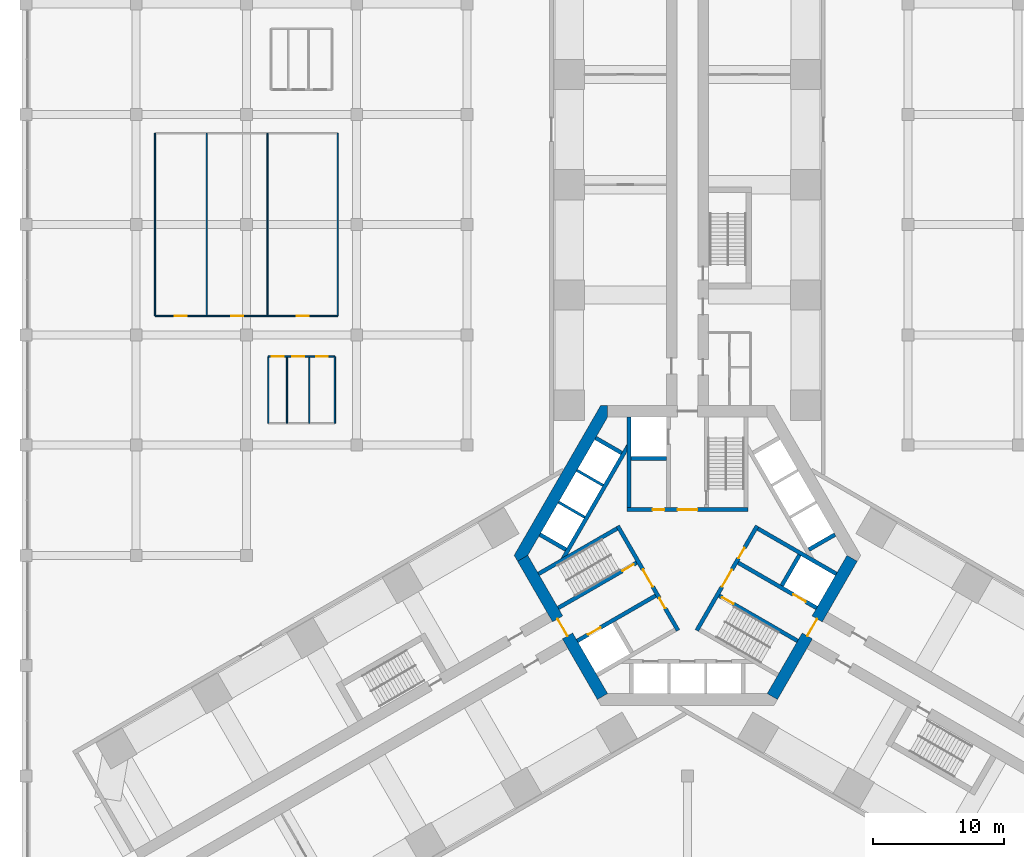
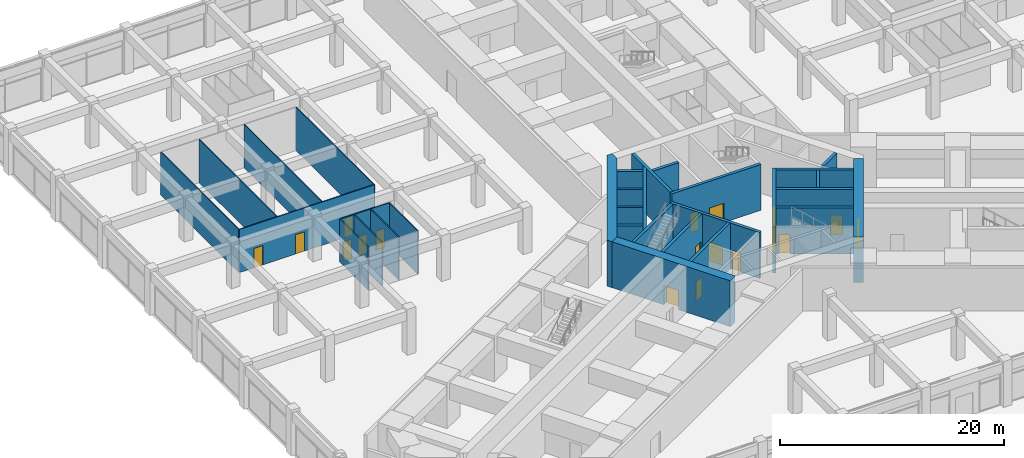
# One storey, part 29 of 36: 31 walls, 18 doors, 18 openings.
"""IFC4 building model written with IfcOpenShell, lengths in metres."""

from ifc_helpers import new_model, si_unit, direction, frame, frame_2d, origin, place, context, subcontext, project, spatial, polyline, rectangle, outline, extrude, material, layer, layer_set, type_object, element, fill, save


model = new_model("IFC4")

# Units and contexts
model_context = context("Model", 3, precision=1e-05, world=origin(), true_north=direction((0.0, 1.0)))
body_context = subcontext(model_context, "Body", "Model", "MODEL_VIEW")
ifc_project = project(units=[si_unit("LENGTHUNIT", "METRE"), si_unit("AREAUNIT", "SQUARE_METRE"), si_unit("VOLUMEUNIT", "CUBIC_METRE"), si_unit("PLANEANGLEUNIT", "RADIAN"), si_unit("MASSUNIT", "GRAM", prefix="KILO")], contexts=[model_context])

# Site, building, storey
site_placement = place(None, origin())
site = spatial("IfcSite", under=ifc_project, at=site_placement, CompositionType="ELEMENT")
building_placement = place(site_placement, origin())
building = spatial("IfcBuilding", under=site, at=building_placement, Name="Impinga Residences", CompositionType="ELEMENT")
storey_placement = place(building_placement, frame((0.0, 0.0, 6.0)))
storey = spatial("IfcBuildingStorey", under=building, at=storey_placement, Name="L01", CompositionType="ELEMENT", Elevation=6.0)

# Wall, openings, doors
ifc_material_1 = material(Name="Gypsum board on steel studs", Category="steel")
ifc_layer_1 = layer(ifc_material_1, 0.10009765625)
ifc_layer_set_1 = layer_set([ifc_layer_1], Name="Gypsum board on steel studs")
wall_type_1 = type_object("IfcWallType", Name="IP1 partition 100", PredefinedType="PARTITIONING", material=ifc_layer_set_1)
wall_1_placement = place(storey_placement, frame((-40.56005859375, 18.239990234375, 0.0), z_axis=(0.0, 0.0, 1.0), x_axis=(1.0, 0.0, 0.0)))
wall_1 = element("IfcWall", 1, at=wall_1_placement, inside=storey, type_object=wall_type_1, Name="Partition L01:REG:NW:BLKS", PredefinedType="PARTITIONING", context=body_context, shape_type="SweptSolid", body=[
    extrude(rectangle(XDim=13.920166015625, YDim=0.10009765625, at=frame_2d((6.9599609375, 0.0))), origin(), (0.0, 0.0, 1.0), 4.699951171875),
])
opening_1_placement = place(wall_1_placement, frame((1.51611328125, 0.0, 0.0)))
opening_1 = element("IfcOpeningElement", 2, at=opening_1_placement, cuts=wall_1, Name="Opening D2", PredefinedType="OPENING", context=body_context, shape_type="SweptSolid", body=[
    extrude(rectangle(XDim=0.89990234375, YDim=2.10009765625, at=frame_2d((0.449951171875, 1.050048828125))), frame((0.0, 0.06005859375, 0.0), z_axis=(0.0, -1.0, 0.0), x_axis=(1.0, 0.0, 0.0)), (0.0, 0.0, 1.0), 0.1201171875),
])
opening_2_placement = place(wall_1_placement, frame((5.80224609375, 0.0, 0.0)))
opening_2 = element("IfcOpeningElement", 3, at=opening_2_placement, cuts=wall_1, Name="Opening D2", PredefinedType="OPENING", context=body_context, shape_type="SweptSolid", body=[
    extrude(rectangle(XDim=0.89990234375, YDim=2.10009765625, at=frame_2d((0.449951171875, 1.050048828125))), frame((0.0, 0.06005859375, 0.0), z_axis=(0.0, -1.0, 0.0), x_axis=(1.0, 0.0, 0.0)), (0.0, 0.0, 1.0), 0.1201171875),
])
opening_3_placement = place(wall_1_placement, frame((10.796142578125, 0.0, 0.0)))
opening_3 = element("IfcOpeningElement", 4, at=opening_3_placement, cuts=wall_1, Name="Opening D2", PredefinedType="OPENING", context=body_context, shape_type="SweptSolid", body=[
    extrude(rectangle(XDim=0.89990234375, YDim=2.10009765625, at=frame_2d((0.449951171875, 1.050048828125))), frame((0.0, 0.06005859375, 0.0), z_axis=(0.0, -1.0, 0.0), x_axis=(1.0, 0.0, 0.0)), (0.0, 0.0, 1.0), 0.1201171875),
])
ifc_material_2 = material(Name="Timber door set", Category="wood")
door_type_1 = type_object("IfcDoorType", Name="D2 internal door 900x2100", OperationType="SINGLE_SWING_LEFT", PredefinedType="DOOR", material=ifc_material_2)
door_1_placement = place(opening_1_placement, origin())
door_1 = element("IfcDoor", 5, at=door_1_placement, inside=storey, type_object=door_type_1, Name="Activity room door", OperationType="SINGLE_SWING_LEFT", OverallHeight=2.10009765625, OverallWidth=0.89990234375, PredefinedType="DOOR", context=body_context, shape_type="SweptSolid", body=[
    extrude(rectangle(XDim=0.89990234375, YDim=2.10009765625, at=frame_2d((0.449951171875, 1.050048828125))), frame((0.0, 0.02490234375, 0.0), z_axis=(0.0, -1.0, 0.0), x_axis=(1.0, 0.0, 0.0)), (0.0, 0.0, 1.0), 0.050048828125),
])
fill(opening_1, door_1)
door_2_placement = place(opening_2_placement, origin())
door_2 = element("IfcDoor", 6, at=door_2_placement, inside=storey, type_object=door_type_1, Name="Activity room door", OperationType="SINGLE_SWING_LEFT", OverallHeight=2.10009765625, OverallWidth=0.89990234375, PredefinedType="DOOR", context=body_context, shape_type="SweptSolid", body=[
    extrude(rectangle(XDim=0.89990234375, YDim=2.10009765625, at=frame_2d((0.449951171875, 1.050048828125))), frame((0.0, 0.02490234375, 0.0), z_axis=(0.0, -1.0, 0.0), x_axis=(1.0, 0.0, 0.0)), (0.0, 0.0, 1.0), 0.050048828125),
])
fill(opening_2, door_2)
door_3_placement = place(opening_3_placement, origin())
door_3 = element("IfcDoor", 7, at=door_3_placement, inside=storey, type_object=door_type_1, Name="Craft room door", OperationType="SINGLE_SWING_RIGHT", OverallHeight=2.10009765625, OverallWidth=0.89990234375, PredefinedType="DOOR", context=body_context, shape_type="SweptSolid", body=[
    extrude(rectangle(XDim=0.89990234375, YDim=2.10009765625, at=frame_2d((0.449951171875, 1.050048828125))), frame((0.0, 0.02490234375, 0.0), z_axis=(0.0, -1.0, 0.0), x_axis=(1.0, 0.0, 0.0)), (0.0, 0.0, 1.0), 0.050048828125),
])
fill(opening_3, door_3)

# Walls
for number, where, z_axis, x_axis, name in (
    (8, (-26.639892578125, 18.239990234375, 0.0), (0.0, 0.0, 1.0), (0.0, 1.0, 0.0), "Partition L01:REG:NW:BLKE"),
    (9, (-40.56005859375, 32.159912109375, 0.0), (0.0, 0.0, 1.0), (0.0, -1.0, 0.0), "Partition L01:REG:NW:BLKW"),
    (10, (-36.627685546875, 18.239990234375, 0.0), (0.0, 0.0, 1.0), (0.0, 1.0, 0.0), "Partition L01:REG:NW:BLKP1"),
    (11, (-31.98779296875, 18.239990234375, 0.0), (0.0, 0.0, 1.0), (0.0, 1.0, 0.0), "Partition L01:REG:NW:BLKP2"),
):
    element("IfcWall", number, at=place(storey_placement, frame(where, z_axis=z_axis, x_axis=x_axis)), inside=storey, type_object=wall_type_1, Name=name, PredefinedType="PARTITIONING", context=body_context, shape_type="SweptSolid", body=[
        extrude(rectangle(XDim=13.919921875, YDim=0.10009765625, at=frame_2d((6.9599609375, 0.0))), origin(), (0.0, 0.0, 1.0), 4.699951171875),
    ])
wall_2_placement = place(storey_placement, frame((-26.860107421875, 10.06005859375, 0.0), z_axis=(0.0, 0.0, 1.0), x_axis=(0.0, 1.0, 0.0)))
element("IfcWall", 12, at=wall_2_placement, inside=storey, type_object=wall_type_1, Name="Partition L01:REG:NW:B2:BLKE", PredefinedType="PARTITIONING", context=body_context, shape_type="SweptSolid", body=[
    extrude(rectangle(XDim=5.079833984375, YDim=0.10009765625, at=frame_2d((2.5400390625, 0.0))), origin(), (0.0, 0.0, 1.0), 4.699951171875),
])

# Wall, openings, doors
wall_3_placement = place(storey_placement, frame((-26.860107421875, 15.139892578125, 0.0), z_axis=(0.0, 0.0, 1.0), x_axis=(-1.0, 0.0, 0.0)))
wall_3 = element("IfcWall", 13, at=wall_3_placement, inside=storey, type_object=wall_type_1, Name="Partition L01:REG:NW:B2:BLKN", PredefinedType="PARTITIONING", context=body_context, shape_type="SweptSolid", body=[
    extrude(rectangle(XDim=5.079833984375, YDim=0.10009765625, at=frame_2d((2.5400390625, 0.0))), origin(), (0.0, 0.0, 1.0), 4.699951171875),
])
opening_4_placement = place(wall_3_placement, frame((3.91259765625, 0.0, 0.0)))
opening_4 = element("IfcOpeningElement", 14, at=opening_4_placement, cuts=wall_3, Name="Opening D2", PredefinedType="OPENING", context=body_context, shape_type="SweptSolid", body=[
    extrude(rectangle(XDim=0.89990234375, YDim=2.10009765625, at=frame_2d((0.449951171875, 1.050048828125))), frame((0.0, 0.06005859375, 0.0), z_axis=(0.0, -1.0, 0.0), x_axis=(1.0, 0.0, 0.0)), (0.0, 0.0, 1.0), 0.1201171875),
])
opening_5_placement = place(wall_3_placement, frame((2.348388671875, 0.0, 0.0)))
opening_5 = element("IfcOpeningElement", 15, at=opening_5_placement, cuts=wall_3, Name="Opening D2", PredefinedType="OPENING", context=body_context, shape_type="SweptSolid", body=[
    extrude(rectangle(XDim=0.89990234375, YDim=2.10009765625, at=frame_2d((0.449951171875, 1.050048828125))), frame((0.0, 0.06005859375, 0.0), z_axis=(0.0, -1.0, 0.0), x_axis=(1.0, 0.0, 0.0)), (0.0, 0.0, 1.0), 0.1201171875),
])
opening_6_placement = place(wall_3_placement, frame((0.52587890625, 0.0, 0.0)))
opening_6 = element("IfcOpeningElement", 16, at=opening_6_placement, cuts=wall_3, Name="Opening D2", PredefinedType="OPENING", context=body_context, shape_type="SweptSolid", body=[
    extrude(rectangle(XDim=0.89990234375, YDim=2.10009765625, at=frame_2d((0.449951171875, 1.050048828125))), frame((0.0, 0.06005859375, 0.0), z_axis=(0.0, -1.0, 0.0), x_axis=(1.0, 0.0, 0.0)), (0.0, 0.0, 1.0), 0.1201171875),
])
door_4_placement = place(opening_4_placement, origin())
door_4 = element("IfcDoor", 17, at=door_4_placement, inside=storey, type_object=door_type_1, Name="Nap room door", OperationType="SINGLE_SWING_RIGHT", OverallHeight=2.10009765625, OverallWidth=0.89990234375, PredefinedType="DOOR", context=body_context, shape_type="SweptSolid", body=[
    extrude(rectangle(XDim=0.89990234375, YDim=2.10009765625, at=frame_2d((0.449951171875, 1.050048828125))), frame((0.0, 0.02490234375, 0.0), z_axis=(0.0, -1.0, 0.0), x_axis=(1.0, 0.0, 0.0)), (0.0, 0.0, 1.0), 0.050048828125),
])
fill(opening_4, door_4)
door_5_placement = place(opening_5_placement, origin())
door_5 = element("IfcDoor", 18, at=door_5_placement, inside=storey, type_object=door_type_1, Name="Quiet room door", OperationType="SINGLE_SWING_RIGHT", OverallHeight=2.10009765625, OverallWidth=0.89990234375, PredefinedType="DOOR", context=body_context, shape_type="SweptSolid", body=[
    extrude(rectangle(XDim=0.89990234375, YDim=2.10009765625, at=frame_2d((0.449951171875, 1.050048828125))), frame((0.0, 0.02490234375, 0.0), z_axis=(0.0, -1.0, 0.0), x_axis=(1.0, 0.0, 0.0)), (0.0, 0.0, 1.0), 0.050048828125),
])
fill(opening_5, door_5)
door_6_placement = place(opening_6_placement, origin())
door_6 = element("IfcDoor", 19, at=door_6_placement, inside=storey, type_object=door_type_1, Name="Toy store door", OperationType="SINGLE_SWING_LEFT", OverallHeight=2.10009765625, OverallWidth=0.89990234375, PredefinedType="DOOR", context=body_context, shape_type="SweptSolid", body=[
    extrude(rectangle(XDim=0.89990234375, YDim=2.10009765625, at=frame_2d((0.449951171875, 1.050048828125))), frame((0.0, 0.02490234375, 0.0), z_axis=(0.0, -1.0, 0.0), x_axis=(1.0, 0.0, 0.0)), (0.0, 0.0, 1.0), 0.050048828125),
])
fill(opening_6, door_6)

# Walls
for number, where, z_axis, x_axis, name in (
    (20, (-31.93994140625, 15.139892578125, 0.0), (0.0, 0.0, 1.0), (0.0, -1.0, 0.0), "Partition L01:REG:NW:B2:BLKW"),
    (21, (-30.5048828125, 10.06005859375, 0.0), (0.0, 0.0, 1.0), (0.0, 1.0, 0.0), "Partition L01:REG:NW:B2:BLKP1"),
    (22, (-28.8115234375, 10.06005859375, 0.0), (0.0, 0.0, 1.0), (0.0, 1.0, 0.0), "Partition L01:REG:NW:B2:BLKP2"),
):
    element("IfcWall", number, at=place(storey_placement, frame(where, z_axis=z_axis, x_axis=x_axis)), inside=storey, type_object=wall_type_1, Name=name, PredefinedType="PARTITIONING", context=body_context, shape_type="SweptSolid", body=[
        extrude(rectangle(XDim=5.079833984375, YDim=0.10009765625, at=frame_2d((2.5400390625, 0.0))), origin(), (0.0, 0.0, 1.0), 4.699951171875),
    ])

# Wall, opening, door
ifc_material_3 = material(Name="Concrete C70/85", Category="concrete")
ifc_layer_2 = layer(ifc_material_3, 0.89990234375)
ifc_layer_set_2 = layer_set([ifc_layer_2], Name="Concrete C70/85")
wall_type_2 = type_object("IfcWallType", Name="SW1 core wall 900", PredefinedType="SHEAR", material=ifc_layer_set_2)
wall_4_placement = place(storey_placement, frame((-6.47021484375, -10.756591796875, 0.0), z_axis=(0.0, 0.0, 1.0), x_axis=(-0.499997612506, 0.8660267822, 0.0)))
wall_4 = element("IfcWall", 23, at=wall_4_placement, inside=storey, type_object=wall_type_2, Name="Core wall SW1 W:FACE L01", PredefinedType="SHEAR", context=body_context, shape_type="SweptSolid", body=[
    extrude(rectangle(XDim=12.16064453125, YDim=0.89990234375, at=frame_2d((6.080322265625, 0.0))), origin(), (0.0, 0.0, 1.0), 5.0),
])
opening_7_placement = place(wall_4_placement, frame((5.330322265625, 0.0, 0.0)))
opening_7 = element("IfcOpeningElement", 24, at=opening_7_placement, cuts=wall_4, Name="Opening D4", PredefinedType="OPENING", context=body_context, shape_type="SweptSolid", body=[
    extrude(rectangle(XDim=1.5, YDim=2.10009765625, at=frame_2d((0.75, 1.050048828125))), frame((0.0, 0.4599609375, 0.0), z_axis=(0.0, -1.0, 0.0), x_axis=(1.0, 0.0, 0.0)), (0.0, 0.0, 1.0), 0.919921875),
])
door_type_2 = type_object("IfcDoorType", Name="D4 lobby door pair 1500x2100", OperationType="DOUBLE_DOOR_DOUBLE_SWING", PredefinedType="DOOR", material=ifc_material_2)
door_7_placement = place(opening_7_placement, origin())
door_7 = element("IfcDoor", 25, at=door_7_placement, inside=storey, type_object=door_type_2, Name="Lobby door W", OperationType="DOUBLE_DOOR_DOUBLE_SWING", OverallHeight=2.10009765625, OverallWidth=1.5, PredefinedType="DOOR", context=body_context, shape_type="SweptSolid", body=[
    extrude(rectangle(XDim=1.5, YDim=2.10009765625, at=frame_2d((0.75, 1.050048828125))), frame((0.0, 0.02490234375, 0.0), z_axis=(0.0, -1.0, 0.0), x_axis=(1.0, 0.0, 0.0)), (0.0, 0.0, 1.0), 0.050048828125),
])
fill(opening_7, door_7)

wall_5_placement = place(storey_placement, frame((12.550537109375, -0.22509765625, 0.0), z_axis=(0.0, 0.0, 1.0), x_axis=(-0.499997612506, -0.8660267822, 0.0)))
wall_5 = element("IfcWall", 26, at=wall_5_placement, inside=storey, type_object=wall_type_2, Name="Core wall SW1 E:FACE L01", PredefinedType="SHEAR", context=body_context, shape_type="SweptSolid", body=[
    extrude(rectangle(XDim=12.16064453125, YDim=0.89990234375, at=frame_2d((6.080322265625, 0.0))), origin(), (0.0, 0.0, 1.0), 5.0),
])
opening_8_placement = place(wall_5_placement, frame((5.330322265625, 0.0, 0.0)))
opening_8 = element("IfcOpeningElement", 27, at=opening_8_placement, cuts=wall_5, Name="Opening D4", PredefinedType="OPENING", context=body_context, shape_type="SweptSolid", body=[
    extrude(rectangle(XDim=1.5, YDim=2.10009765625, at=frame_2d((0.75, 1.050048828125))), frame((0.0, 0.4599609375, 0.0), z_axis=(0.0, -1.0, 0.0), x_axis=(1.0, 0.0, 0.0)), (0.0, 0.0, 1.0), 0.919921875),
])
door_8_placement = place(opening_8_placement, origin())
door_8 = element("IfcDoor", 28, at=door_8_placement, inside=storey, type_object=door_type_2, Name="Lobby door E", OperationType="DOUBLE_DOOR_DOUBLE_SWING", OverallHeight=2.10009765625, OverallWidth=1.5, PredefinedType="DOOR", context=body_context, shape_type="SweptSolid", body=[
    extrude(rectangle(XDim=1.5, YDim=2.10009765625, at=frame_2d((0.75, 1.050048828125))), frame((0.0, 0.02490234375, 0.0), z_axis=(0.0, -1.0, 0.0), x_axis=(1.0, 0.0, 0.0)), (0.0, 0.0, 1.0), 0.050048828125),
])
fill(opening_8, door_8)

# Wall
wall_6_placement = place(storey_placement, origin())
element("IfcWall", 29, at=wall_6_placement, inside=storey, type_object=wall_type_2, Name="Core wall SW1 E:EXPOSED L01", PredefinedType="SHEAR", context=body_context, shape_type="SweptSolid", body=[
    extrude(outline(polyline([(-6.60009765625, 11.431640625), (-13.199951171875, 0.0), (-12.940185546875, -0.449951171875), (-12.160888671875, 0.0), (-6.080322265625, 10.531494140625), (-6.080322265625, 11.431640625), (-6.60009765625, 11.431640625)])), origin(), (0.0, 0.0, 1.0), 5.0),
])

# Wall, openings, doors
ifc_layer_3 = layer(ifc_material_3, 0.300048828125)
ifc_layer_set_3 = layer_set([ifc_layer_3], Name="Concrete C70/85")
wall_type_3 = type_object("IfcWallType", Name="SW5 core inner wall, stairs, shafts and lobbies 300", PredefinedType="SHEAR", material=ifc_layer_set_3)
wall_7_placement = place(storey_placement, frame((-4.60009765625, 3.47998046875, 0.0), z_axis=(0.0, 0.0, 1.0), x_axis=(1.0, 0.0, 0.0)))
wall_7 = element("IfcWall", 30, at=wall_7_placement, inside=storey, type_object=wall_type_3, Name="Core wall SW5 N:ZONE L01", PredefinedType="SHEAR", context=body_context, shape_type="SweptSolid", body=[
    extrude(rectangle(XDim=9.2001953125, YDim=0.300048828125, at=frame_2d((4.60009765625, 0.0))), origin(), (0.0, 0.0, 1.0), 5.0),
])
opening_9_placement = place(wall_7_placement, frame((3.85009765625, 0.0, 0.0)))
opening_9 = element("IfcOpeningElement", 31, at=opening_9_placement, cuts=wall_7, Name="Opening D4", PredefinedType="OPENING", context=body_context, shape_type="SweptSolid", body=[
    extrude(rectangle(XDim=1.5, YDim=2.10009765625, at=frame_2d((0.75, 1.050048828125))), frame((0.0, 0.159912109375, 0.0), z_axis=(0.0, -1.0, 0.0), x_axis=(1.0, 0.0, 0.0)), (0.0, 0.0, 1.0), 0.320068359375),
])
opening_10_placement = place(wall_7_placement, frame((1.949951171875, 0.0, 0.0)))
opening_10 = element("IfcOpeningElement", 32, at=opening_10_placement, cuts=wall_7, Name="Opening D6", PredefinedType="OPENING", context=body_context, shape_type="SweptSolid", body=[
    extrude(rectangle(XDim=0.89990234375, YDim=2.10009765625, at=frame_2d((0.449951171875, 1.050048828125))), frame((0.0, 0.159912109375, 0.0), z_axis=(0.0, -1.0, 0.0), x_axis=(1.0, 0.0, 0.0)), (0.0, 0.0, 1.0), 0.320068359375),
])
door_9_placement = place(opening_9_placement, origin())
door_9 = element("IfcDoor", 33, at=door_9_placement, inside=storey, type_object=door_type_2, Name="Firefighting lobby door N", OperationType="DOUBLE_DOOR_DOUBLE_SWING", OverallHeight=2.10009765625, OverallWidth=1.5, PredefinedType="DOOR", context=body_context, shape_type="SweptSolid", body=[
    extrude(rectangle(XDim=1.5, YDim=2.10009765625, at=frame_2d((0.75, 1.050048828125))), frame((0.0, 0.02490234375, 0.0), z_axis=(0.0, -1.0, 0.0), x_axis=(1.0, 0.0, 0.0)), (0.0, 0.0, 1.0), 0.050048828125),
])
fill(opening_9, door_9)
door_type_3 = type_object("IfcDoorType", Name="D6 riser and store door 900x2100", OperationType="SINGLE_SWING_LEFT", PredefinedType="DOOR", material=ifc_material_2)
door_10_placement = place(opening_10_placement, origin())
door_10 = element("IfcDoor", 34, at=door_10_placement, inside=storey, type_object=door_type_3, Name="Riser door N", OperationType="SINGLE_SWING_LEFT", OverallHeight=2.10009765625, OverallWidth=0.89990234375, PredefinedType="DOOR", context=body_context, shape_type="SweptSolid", body=[
    extrude(rectangle(XDim=0.89990234375, YDim=2.10009765625, at=frame_2d((0.449951171875, 1.050048828125))), frame((0.0, 0.02490234375, 0.0), z_axis=(0.0, -1.0, 0.0), x_axis=(1.0, 0.0, 0.0)), (0.0, 0.0, 1.0), 0.050048828125),
])
fill(opening_10, door_10)

# Walls
wall_8_placement = place(storey_placement, frame((-4.449951171875, 3.6298828125, 0.0), z_axis=(0.0, 0.0, 1.0), x_axis=(0.0, 1.0, 0.0)))
element("IfcWall", 35, at=wall_8_placement, inside=storey, type_object=wall_type_3, Name="Core wall SW5 N:FF-OUT L01", PredefinedType="SHEAR", context=body_context, shape_type="SweptSolid", body=[
    extrude(rectangle(XDim=6.901611328125, YDim=0.300048828125, at=frame_2d((3.45068359375, 0.0))), origin(), (0.0, 0.0, 1.0), 5.0),
])
wall_9_placement = place(storey_placement, frame((-4.300048828125, 7.3798828125, 0.0), z_axis=(0.0, 0.0, 1.0), x_axis=(1.0, 0.0, 0.0)))
element("IfcWall", 36, at=wall_9_placement, inside=storey, type_object=wall_type_3, Name="Core wall SW5 N:FF-RS L01", PredefinedType="SHEAR", context=body_context, shape_type="SweptSolid", body=[
    extrude(rectangle(XDim=2.699951171875, YDim=0.300048828125, at=frame_2d((1.35009765625, 0.0))), origin(), (0.0, 0.0, 1.0), 5.0),
])

# Wall, openings, doors
wall_10_placement = place(storey_placement, frame((-0.7138671875, -5.7236328125, 0.0), z_axis=(0.0, 0.0, 1.0), x_axis=(-0.499995050369, 0.866028261437, 0.0)))
wall_10 = element("IfcWall", 37, at=wall_10_placement, inside=storey, type_object=wall_type_3, Name="Core wall SW5 W:ZONE L01", PredefinedType="SHEAR", context=body_context, shape_type="SweptSolid", body=[
    extrude(rectangle(XDim=9.19970703125, YDim=0.300048828125, at=frame_2d((4.599853515625, 0.0))), origin(), (0.0, 0.0, 1.0), 5.0),
])
opening_11_placement = place(wall_10_placement, frame((3.85009765625, 0.0, 0.0)))
opening_11 = element("IfcOpeningElement", 38, at=opening_11_placement, cuts=wall_10, Name="Opening D4", PredefinedType="OPENING", context=body_context, shape_type="SweptSolid", body=[
    extrude(rectangle(XDim=1.5, YDim=2.10009765625, at=frame_2d((0.75, 1.050048828125))), frame((0.0, 0.159912109375, 0.0), z_axis=(0.0, -1.0, 0.0), x_axis=(1.0, 0.0, 0.0)), (0.0, 0.0, 1.0), 0.320068359375),
])
opening_12_placement = place(wall_10_placement, frame((1.949951171875, 0.0, 0.0)))
opening_12 = element("IfcOpeningElement", 39, at=opening_12_placement, cuts=wall_10, Name="Opening D6", PredefinedType="OPENING", context=body_context, shape_type="SweptSolid", body=[
    extrude(rectangle(XDim=0.89990234375, YDim=2.10009765625, at=frame_2d((0.449951171875, 1.050048828125))), frame((0.0, 0.159912109375, 0.0), z_axis=(0.0, -1.0, 0.0), x_axis=(1.0, 0.0, 0.0)), (0.0, 0.0, 1.0), 0.320068359375),
])
door_11_placement = place(opening_11_placement, origin())
door_11 = element("IfcDoor", 40, at=door_11_placement, inside=storey, type_object=door_type_2, Name="Firefighting lobby door W", OperationType="DOUBLE_DOOR_DOUBLE_SWING", OverallHeight=2.10009765625, OverallWidth=1.5, PredefinedType="DOOR", context=body_context, shape_type="SweptSolid", body=[
    extrude(rectangle(XDim=1.5, YDim=2.10009765625, at=frame_2d((0.75, 1.050048828125))), frame((0.0, 0.02490234375, 0.0), z_axis=(0.0, -1.0, 0.0), x_axis=(1.0, 0.0, 0.0)), (0.0, 0.0, 1.0), 0.050048828125),
])
fill(opening_11, door_11)
door_12_placement = place(opening_12_placement, origin())
door_12 = element("IfcDoor", 41, at=door_12_placement, inside=storey, type_object=door_type_3, Name="Riser door W", OperationType="SINGLE_SWING_LEFT", OverallHeight=2.10009765625, OverallWidth=0.89990234375, PredefinedType="DOOR", context=body_context, shape_type="SweptSolid", body=[
    extrude(rectangle(XDim=0.89990234375, YDim=2.10009765625, at=frame_2d((0.449951171875, 1.050048828125))), frame((0.0, 0.02490234375, 0.0), z_axis=(0.0, -1.0, 0.0), x_axis=(1.0, 0.0, 0.0)), (0.0, 0.0, 1.0), 0.050048828125),
])
fill(opening_12, door_12)

# Wall, opening, door
wall_11_placement = place(storey_placement, frame((-3.86865234375, -0.559326171875, 0.0), z_axis=(0.0, 0.0, 1.0), x_axis=(-0.86602711848, -0.499997030048, 0.0)))
wall_11 = element("IfcWall", 42, at=wall_11_placement, inside=storey, type_object=wall_type_3, Name="Core wall SW5 W:ST-IN L01", PredefinedType="SHEAR", context=body_context, shape_type="SweptSolid", body=[
    extrude(rectangle(XDim=6.9013671875, YDim=0.300048828125, at=frame_2d((3.45068359375, 0.0))), origin(), (0.0, 0.0, 1.0), 5.0),
])
opening_13_placement = place(wall_11_placement, frame((0.25, 0.0, 0.0)))
opening_13 = element("IfcOpeningElement", 43, at=opening_13_placement, cuts=wall_11, Name="Opening D5", PredefinedType="OPENING", context=body_context, shape_type="SweptSolid", body=[
    extrude(rectangle(XDim=1.0, YDim=2.10009765625, at=frame_2d((0.5, 1.050048828125))), frame((0.0, 0.159912109375, 0.0), z_axis=(0.0, -1.0, 0.0), x_axis=(1.0, 0.0, 0.0)), (0.0, 0.0, 1.0), 0.320068359375),
])
door_type_4 = type_object("IfcDoorType", Name="D5 stair door 1000x2100", OperationType="SINGLE_SWING_LEFT", PredefinedType="DOOR", material=ifc_material_2)
door_13_placement = place(opening_13_placement, origin())
door_13 = element("IfcDoor", 44, at=door_13_placement, inside=storey, type_object=door_type_4, Name="Stair door W", OperationType="SINGLE_SWING_LEFT", OverallHeight=2.10009765625, OverallWidth=1.0, PredefinedType="DOOR", context=body_context, shape_type="SweptSolid", body=[
    extrude(rectangle(XDim=1.0, YDim=2.10009765625, at=frame_2d((0.5, 1.050048828125))), frame((0.0, 0.02490234375, 0.0), z_axis=(0.0, -1.0, 0.0), x_axis=(1.0, 0.0, 0.0)), (0.0, 0.0, 1.0), 0.050048828125),
])
fill(opening_13, door_13)

# Wall
wall_12_placement = place(storey_placement, frame((-5.36865234375, 2.038818359375, 0.0), z_axis=(0.0, 0.0, 1.0), x_axis=(-0.86602711848, -0.499997030048, 0.0)))
element("IfcWall", 45, at=wall_12_placement, inside=storey, type_object=wall_type_3, Name="Core wall SW5 W:ST-OUT L01", PredefinedType="SHEAR", context=body_context, shape_type="SweptSolid", body=[
    extrude(rectangle(XDim=6.9013671875, YDim=0.300048828125, at=frame_2d((3.45068359375, 0.0))), origin(), (0.0, 0.0, 1.0), 5.0),
])

# Wall, opening, door
wall_13_placement = place(storey_placement, frame((-2.418701171875, -3.07080078125, 0.0), z_axis=(0.0, 0.0, 1.0), x_axis=(-0.86602711848, -0.499997030048, 0.0)))
wall_13 = element("IfcWall", 46, at=wall_13_placement, inside=storey, type_object=wall_type_3, Name="Core wall SW5 W:FF-IN L01", PredefinedType="SHEAR", context=body_context, shape_type="SweptSolid", body=[
    extrude(rectangle(XDim=6.9013671875, YDim=0.300048828125, at=frame_2d((3.45068359375, 0.0))), origin(), (0.0, 0.0, 1.0), 5.0),
])
opening_14_placement = place(wall_13_placement, frame((4.85009765625, 0.0, 0.0)))
opening_14 = element("IfcOpeningElement", 47, at=opening_14_placement, cuts=wall_13, Name="Opening LD2", PredefinedType="OPENING", context=body_context, shape_type="SweptSolid", body=[
    extrude(rectangle(XDim=1.10009765625, YDim=2.10009765625, at=frame_2d((0.550048828125, 1.050048828125))), frame((0.0, 0.159912109375, 0.0), z_axis=(0.0, -1.0, 0.0), x_axis=(1.0, 0.0, 0.0)), (0.0, 0.0, 1.0), 0.320068359375),
])
ifc_material_4 = material(Name="Steel lift landing door", Category="steel")
door_type_5 = type_object("IfcDoorType", Name="LD2 firefighting lift landing door 1100x2100", OperationType="DOUBLE_DOOR_SLIDING", PredefinedType="DOOR", material=ifc_material_4)
door_14_placement = place(opening_14_placement, origin())
door_14 = element("IfcDoor", 48, at=door_14_placement, inside=storey, type_object=door_type_5, Name="Firefighting lift landing door F2", OperationType="DOUBLE_DOOR_SLIDING", OverallHeight=2.10009765625, OverallWidth=1.10009765625, PredefinedType="DOOR", context=body_context, shape_type="SweptSolid", body=[
    extrude(rectangle(XDim=1.10009765625, YDim=2.10009765625, at=frame_2d((0.550048828125, 1.050048828125))), frame((0.0, 0.02490234375, 0.0), z_axis=(0.0, -1.0, 0.0), x_axis=(1.0, 0.0, 0.0)), (0.0, 0.0, 1.0), 0.050048828125),
])
fill(opening_14, door_14)

# Wall, openings, doors
wall_14_placement = place(storey_placement, frame((5.313720703125, 2.24365234375, 0.0), z_axis=(0.0, 0.0, 1.0), x_axis=(-0.499995050369, -0.866028261437, 0.0)))
wall_14 = element("IfcWall", 49, at=wall_14_placement, inside=storey, type_object=wall_type_3, Name="Core wall SW5 E:ZONE L01", PredefinedType="SHEAR", context=body_context, shape_type="SweptSolid", body=[
    extrude(rectangle(XDim=9.19970703125, YDim=0.300048828125, at=frame_2d((4.599853515625, 0.0))), origin(), (0.0, 0.0, 1.0), 5.0),
])
opening_15_placement = place(wall_14_placement, frame((3.85009765625, 0.0, 0.0)))
opening_15 = element("IfcOpeningElement", 50, at=opening_15_placement, cuts=wall_14, Name="Opening D4", PredefinedType="OPENING", context=body_context, shape_type="SweptSolid", body=[
    extrude(rectangle(XDim=1.5, YDim=2.10009765625, at=frame_2d((0.75, 1.050048828125))), frame((0.0, 0.159912109375, 0.0), z_axis=(0.0, -1.0, 0.0), x_axis=(1.0, 0.0, 0.0)), (0.0, 0.0, 1.0), 0.320068359375),
])
opening_16_placement = place(wall_14_placement, frame((1.949951171875, 0.0, 0.0)))
opening_16 = element("IfcOpeningElement", 51, at=opening_16_placement, cuts=wall_14, Name="Opening D6", PredefinedType="OPENING", context=body_context, shape_type="SweptSolid", body=[
    extrude(rectangle(XDim=0.89990234375, YDim=2.10009765625, at=frame_2d((0.449951171875, 1.050048828125))), frame((0.0, 0.159912109375, 0.0), z_axis=(0.0, -1.0, 0.0), x_axis=(1.0, 0.0, 0.0)), (0.0, 0.0, 1.0), 0.320068359375),
])
door_15_placement = place(opening_15_placement, origin())
door_15 = element("IfcDoor", 52, at=door_15_placement, inside=storey, type_object=door_type_2, Name="Firefighting lobby door E", OperationType="DOUBLE_DOOR_DOUBLE_SWING", OverallHeight=2.10009765625, OverallWidth=1.5, PredefinedType="DOOR", context=body_context, shape_type="SweptSolid", body=[
    extrude(rectangle(XDim=1.5, YDim=2.10009765625, at=frame_2d((0.75, 1.050048828125))), frame((0.0, 0.02490234375, 0.0), z_axis=(0.0, -1.0, 0.0), x_axis=(1.0, 0.0, 0.0)), (0.0, 0.0, 1.0), 0.050048828125),
])
fill(opening_15, door_15)
door_16_placement = place(opening_16_placement, origin())
door_16 = element("IfcDoor", 53, at=door_16_placement, inside=storey, type_object=door_type_3, Name="Riser door E", OperationType="SINGLE_SWING_LEFT", OverallHeight=2.10009765625, OverallWidth=0.89990234375, PredefinedType="DOOR", context=body_context, shape_type="SweptSolid", body=[
    extrude(rectangle(XDim=0.89990234375, YDim=2.10009765625, at=frame_2d((0.449951171875, 1.050048828125))), frame((0.0, 0.02490234375, 0.0), z_axis=(0.0, -1.0, 0.0), x_axis=(1.0, 0.0, 0.0)), (0.0, 0.0, 1.0), 0.050048828125),
])
fill(opening_16, door_16)

# Wall, opening, door
wall_15_placement = place(storey_placement, frame((2.418701171875, -3.07080078125, 0.0), z_axis=(0.0, 0.0, 1.0), x_axis=(0.86602711848, -0.499997030048, 0.0)))
wall_15 = element("IfcWall", 54, at=wall_15_placement, inside=storey, type_object=wall_type_3, Name="Core wall SW5 E:ST-IN L01", PredefinedType="SHEAR", context=body_context, shape_type="SweptSolid", body=[
    extrude(rectangle(XDim=6.9013671875, YDim=0.300048828125, at=frame_2d((3.45068359375, 0.0))), origin(), (0.0, 0.0, 1.0), 5.0),
])
opening_17_placement = place(wall_15_placement, frame((0.25, 0.0, 0.0)))
opening_17 = element("IfcOpeningElement", 55, at=opening_17_placement, cuts=wall_15, Name="Opening D5", PredefinedType="OPENING", context=body_context, shape_type="SweptSolid", body=[
    extrude(rectangle(XDim=1.0, YDim=2.10009765625, at=frame_2d((0.5, 1.050048828125))), frame((0.0, 0.159912109375, 0.0), z_axis=(0.0, -1.0, 0.0), x_axis=(1.0, 0.0, 0.0)), (0.0, 0.0, 1.0), 0.320068359375),
])
door_17_placement = place(opening_17_placement, origin())
door_17 = element("IfcDoor", 56, at=door_17_placement, inside=storey, type_object=door_type_4, Name="Stair door E", OperationType="SINGLE_SWING_LEFT", OverallHeight=2.10009765625, OverallWidth=1.0, PredefinedType="DOOR", context=body_context, shape_type="SweptSolid", body=[
    extrude(rectangle(XDim=1.0, YDim=2.10009765625, at=frame_2d((0.5, 1.050048828125))), frame((0.0, 0.02490234375, 0.0), z_axis=(0.0, -1.0, 0.0), x_axis=(1.0, 0.0, 0.0)), (0.0, 0.0, 1.0), 0.050048828125),
])
fill(opening_17, door_17)

wall_16_placement = place(storey_placement, frame((3.86865234375, -0.559326171875, 0.0), z_axis=(0.0, 0.0, 1.0), x_axis=(0.86602711848, -0.499997030048, 0.0)))
wall_16 = element("IfcWall", 57, at=wall_16_placement, inside=storey, type_object=wall_type_3, Name="Core wall SW5 E:FF-IN L01", PredefinedType="SHEAR", context=body_context, shape_type="SweptSolid", body=[
    extrude(rectangle(XDim=6.9013671875, YDim=0.300048828125, at=frame_2d((3.45068359375, 0.0))), origin(), (0.0, 0.0, 1.0), 5.0),
])
opening_18_placement = place(wall_16_placement, frame((4.85009765625, 0.0, 0.0)))
opening_18 = element("IfcOpeningElement", 58, at=opening_18_placement, cuts=wall_16, Name="Opening LD2", PredefinedType="OPENING", context=body_context, shape_type="SweptSolid", body=[
    extrude(rectangle(XDim=1.10009765625, YDim=2.10009765625, at=frame_2d((0.550048828125, 1.050048828125))), frame((0.0, 0.159912109375, 0.0), z_axis=(0.0, -1.0, 0.0), x_axis=(1.0, 0.0, 0.0)), (0.0, 0.0, 1.0), 0.320068359375),
])
door_18_placement = place(opening_18_placement, origin())
door_18 = element("IfcDoor", 59, at=door_18_placement, inside=storey, type_object=door_type_5, Name="Firefighting lift landing door F3", OperationType="DOUBLE_DOOR_SLIDING", OverallHeight=2.10009765625, OverallWidth=1.10009765625, PredefinedType="DOOR", context=body_context, shape_type="SweptSolid", body=[
    extrude(rectangle(XDim=1.10009765625, YDim=2.10009765625, at=frame_2d((0.550048828125, 1.050048828125))), frame((0.0, 0.02490234375, 0.0), z_axis=(0.0, -1.0, 0.0), x_axis=(1.0, 0.0, 0.0)), (0.0, 0.0, 1.0), 0.050048828125),
])
fill(opening_18, door_18)

# Walls
wall_17_placement = place(storey_placement, frame((5.36865234375, 2.038818359375, 0.0), z_axis=(0.0, 0.0, 1.0), x_axis=(0.86602711848, -0.499997030048, 0.0)))
element("IfcWall", 60, at=wall_17_placement, inside=storey, type_object=wall_type_3, Name="Core wall SW5 E:FF-OUT L01", PredefinedType="SHEAR", context=body_context, shape_type="SweptSolid", body=[
    extrude(rectangle(XDim=6.9013671875, YDim=0.300048828125, at=frame_2d((3.45068359375, 0.0))), origin(), (0.0, 0.0, 1.0), 5.0),
])
wall_18_placement = place(storey_placement, frame((8.541259765625, 0.033935546875, 0.0), z_axis=(0.0, 0.0, 1.0), x_axis=(-0.50000943426, -0.866019956843, 0.0)))
element("IfcWall", 61, at=wall_18_placement, inside=storey, type_object=wall_type_3, Name="Core wall SW5 E:FF-RS L01", PredefinedType="SHEAR", context=body_context, shape_type="SweptSolid", body=[
    extrude(rectangle(XDim=2.7001953125, YDim=0.300048828125, at=frame_2d((1.35009765625, 0.0))), origin(), (0.0, 0.0, 1.0), 5.0),
])
wall_19_placement = place(storey_placement, frame((9.253662109375, 0.43505859375, 0.0), z_axis=(0.0, 0.0, 1.0), x_axis=(0.866007057882, 0.500031774688, 0.0)))
element("IfcWall", 62, at=wall_19_placement, inside=storey, type_object=wall_type_3, Name="Core wall SW5 W:BANK-R L01", PredefinedType="SHEAR", context=body_context, shape_type="SweptSolid", body=[
    extrude(rectangle(XDim=2.300048828125, YDim=0.300048828125, at=frame_2d((1.14990234375, 0.0))), origin(), (0.0, 0.0, 1.0), 5.0),
])
wall_20_placement = place(storey_placement, frame((-9.547607421875, -0.3740234375, 0.0), z_axis=(0.0, 0.0, 1.0), x_axis=(0.500002290144, 0.866024081565, 0.0)))
element("IfcWall", 63, at=wall_20_placement, inside=storey, type_object=wall_type_3, Name="Core wall SW5 E:BANK-FRONT L01", PredefinedType="SHEAR", context=body_context, shape_type="SweptSolid", body=[
    extrude(rectangle(XDim=10.1953125, YDim=0.300048828125, at=frame_2d((5.09765625, 0.0))), origin(), (0.0, 0.0, 1.0), 5.0),
])
for number, where, z_axis, x_axis, name in (
    (64, (-9.253662109375, 0.43505859375, 0.0), (0.0, 0.0, 1.0), (-0.866007057882, 0.500031774688, 0.0), "Core wall SW5 E:BANK-L L01"),
    (65, (-5.003662109375, 7.79638671875, 0.0), (0.0, 0.0, 1.0), (-0.866053019151, 0.499952165731, 0.0), "Core wall SW5 E:BANK-R L01"),
):
    element("IfcWall", number, at=place(storey_placement, frame(where, z_axis=z_axis, x_axis=x_axis)), inside=storey, type_object=wall_type_3, Name=name, PredefinedType="SHEAR", context=body_context, shape_type="SweptSolid", body=[
        extrude(rectangle(XDim=2.300048828125, YDim=0.300048828125, at=frame_2d((1.14990234375, 0.0))), origin(), (0.0, 0.0, 1.0), 5.0),
    ])
ifc_layer_4 = layer(ifc_material_3, 0.199951171875)
ifc_layer_set_4 = layer_set([ifc_layer_4], Name="Concrete C70/85")
wall_type_4 = type_object("IfcWallType", Name="SW6 lift shaft divider wall 200", PredefinedType="SHEAR", material=ifc_layer_set_4)
for number, where, z_axis, x_axis, name in (
    (66, (-7.82861328125, 2.9033203125, 0.0), (0.0, 0.0, 1.0), (-0.866053019151, 0.499952165731, 0.0), "Core wall SW6 E:BANK-D1 L01"),
    (67, (-6.4287109375, 5.328125, 0.0), (0.0, 0.0, 1.0), (-0.866007057882, 0.500031774688, 0.0), "Core wall SW6 E:BANK-D2 L01"),
):
    element("IfcWall", number, at=place(storey_placement, frame(where, z_axis=z_axis, x_axis=x_axis)), inside=storey, type_object=wall_type_4, Name=name, PredefinedType="SHEAR", context=body_context, shape_type="SweptSolid", body=[
        extrude(rectangle(XDim=2.300048828125, YDim=0.199951171875, at=frame_2d((1.14990234375, 0.0))), origin(), (0.0, 0.0, 1.0), 5.0),
    ])

save(model, "model.ifc")
